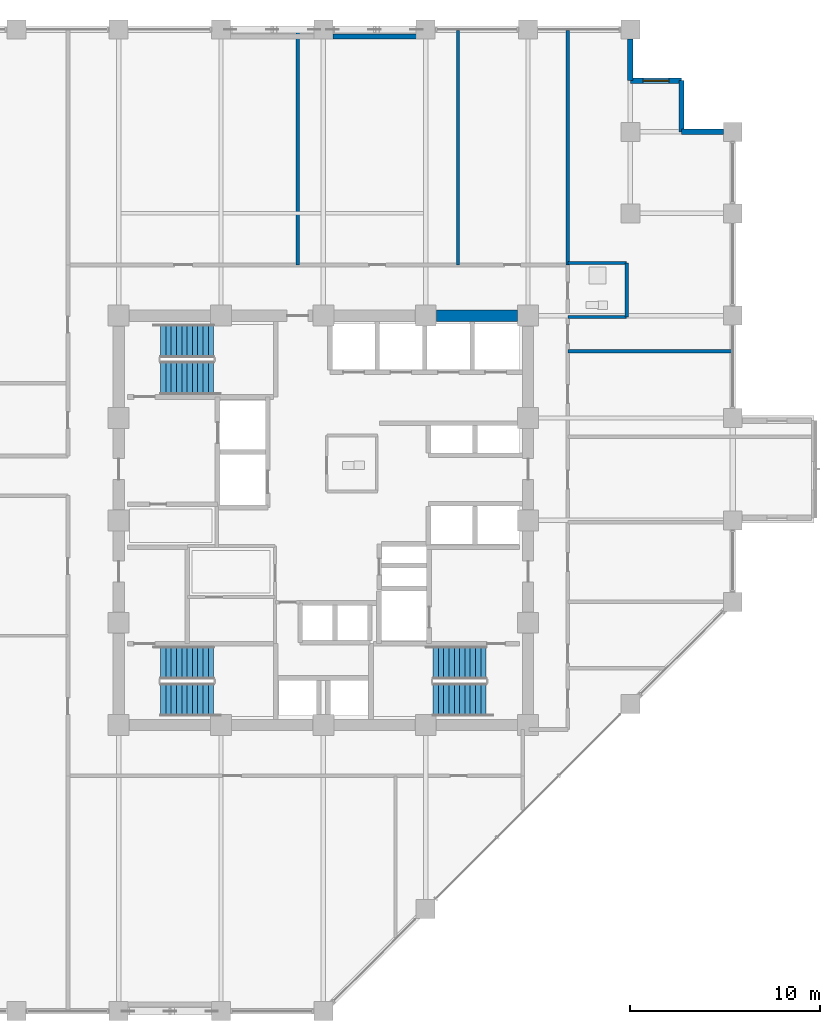
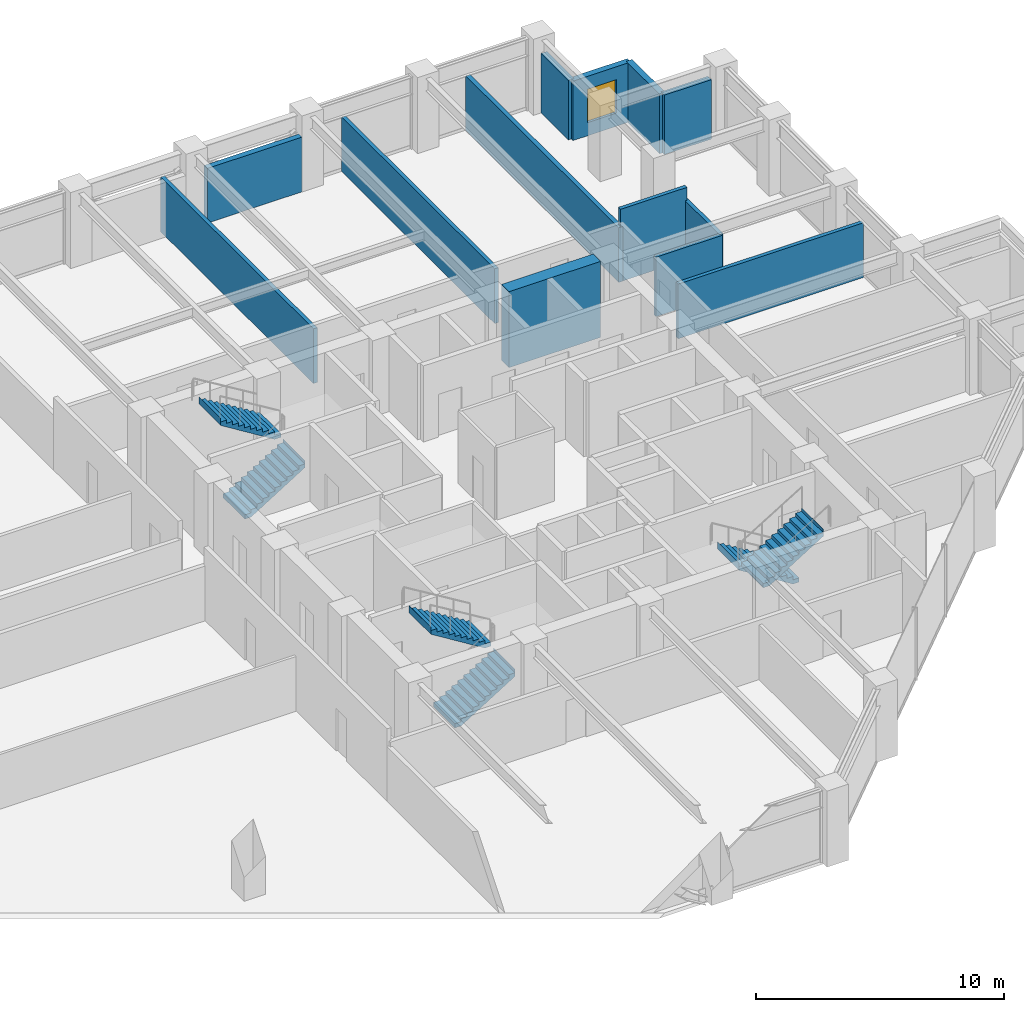
# One storey, part 21 of 25: 13 walls, 6 stair flights, 1 window, 1 opening, 3 elements without a shape of their own.
"""IFC4 building model written with IfcOpenShell, lengths in metres."""

from ifc_helpers import new_model, si_unit, direction, frame, frame_2d, origin, place, context, subcontext, project, spatial, polyline, rectangle, outline, extrude, material, layer, layer_set, type_object, element, fill, aggregate, save


model = new_model("IFC4")

# Units and contexts
model_context = context("Model", 3, precision=1e-05, world=origin(), true_north=direction((0.0, 1.0)))
body_context = subcontext(model_context, "Body", "Model", "MODEL_VIEW")
ifc_project = project(units=[si_unit("LENGTHUNIT", "METRE"), si_unit("AREAUNIT", "SQUARE_METRE"), si_unit("VOLUMEUNIT", "CUBIC_METRE"), si_unit("PLANEANGLEUNIT", "RADIAN"), si_unit("MASSUNIT", "GRAM", prefix="KILO")], contexts=[model_context])

# Site, building, storey
site_placement = place(None, origin())
site = spatial("IfcSite", under=ifc_project, at=site_placement, CompositionType="ELEMENT")
building_placement = place(site_placement, origin())
building = spatial("IfcBuilding", under=site, at=building_placement, Name="Surkhivell Harbour Commons", CompositionType="ELEMENT")
storey_placement = place(building_placement, frame((0.0, 0.0, 139.5)))
storey = spatial("IfcBuildingStorey", under=building, at=storey_placement, Name="L36", CompositionType="ELEMENT", Elevation=139.5)

# Walls
ifc_material_1 = material(Name="Concrete C60/75", Category="concrete")
ifc_layer_1 = layer(ifc_material_1, 0.60009765625)
ifc_layer_set_1 = layer_set([ifc_layer_1], Name="Concrete C60/75")
wall_type_1 = type_object("IfcWallType", Name="WAL-CORE-600", PredefinedType="SHEAR", material=ifc_layer_set_1)
wall_1_placement = place(storey_placement, frame((5.9599609375, 10.800048828125, 0.0), z_axis=(0.0, 0.0, 1.0), x_axis=(1.0, 0.0, 0.0)))
element("IfcWall", 1, at=wall_1_placement, inside=storey, type_object=wall_type_1, Name="L36 Core Shear Wall North 4", PredefinedType="SHEAR", context=body_context, shape_type="SweptSolid", body=[
    extrude(rectangle(XDim=4.280029296875, YDim=0.60009765625, at=frame_2d((2.14013671875, 0.0))), origin(), (0.0, 0.0, 1.0), 3.75),
])
ifc_material_2 = material(Name="Pale-metal insulated precast concrete C45/55", Category="concrete")
ifc_layer_2 = layer(ifc_material_2, 0.260009765625)
ifc_layer_set_2 = layer_set([ifc_layer_2], Name="Pale-metal insulated precast concrete C45/55")
wall_type_2 = type_object("IfcWallType", Name="WAL-EXT-MTL260", PredefinedType="STANDARD", material=ifc_layer_set_2)
wall_2_placement = place(storey_placement, frame((4.902099609375, 25.5400390625, 0.0), z_axis=(0.0, 0.0, 1.0), x_axis=(-1.0, 0.0, 0.0)))
element("IfcWall", 2, at=wall_2_placement, inside=storey, type_object=wall_type_2, Name="L36 Braced-Bay Insulated Spandrel Backing N2", PredefinedType="STANDARD", context=body_context, shape_type="SweptSolid", body=[
    extrude(rectangle(XDim=4.404052734375, YDim=0.260009765625, at=frame_2d((2.2021484375, 0.0))), origin(), (0.0, 0.0, 1.0), 2.698974609375),
])
ifc_material_3 = material(Name="Terracotta-clad reinforced concrete C45/55", Category="masonry")
ifc_layer_3 = layer(ifc_material_3, 0.280029296875)
ifc_layer_set_3 = layer_set([ifc_layer_3], Name="Terracotta-clad reinforced concrete C45/55")
wall_type_3 = type_object("IfcWallType", Name="WAL-EXT-TER280", PredefinedType="STANDARD", material=ifc_layer_set_3)
wall_3_placement = place(storey_placement, frame((21.10205078125, 20.5, 0.0), z_axis=(0.0, 0.0, 1.0), x_axis=(-1.0, 0.0, 0.0)))
element("IfcWall", 3, at=wall_3_placement, inside=storey, type_object=wall_type_3, Name="L36 Serrated Corner Facade Wall 03", PredefinedType="STANDARD", context=body_context, shape_type="SweptSolid", body=[
    extrude(rectangle(XDim=2.2021484375, YDim=0.280029296875, at=frame_2d((1.10107421875, 0.0))), origin(), (0.0, 0.0, 1.0), 2.93310546875),
])
wall_4_placement = place(storey_placement, frame((18.89990234375, 20.5, 0.0), z_axis=(0.0, 0.0, 1.0), x_axis=(0.0, 1.0, 0.0)))
element("IfcWall", 4, at=wall_4_placement, inside=storey, type_object=wall_type_3, Name="L36 Serrated Corner Facade Wall 04", PredefinedType="STANDARD", context=body_context, shape_type="SweptSolid", body=[
    extrude(rectangle(XDim=2.699951171875, YDim=0.280029296875, at=frame_2d((1.35009765625, 0.0))), origin(), (0.0, 0.0, 1.0), 2.93310546875),
])

# Wall, opening, window
wall_5_placement = place(storey_placement, frame((18.89990234375, 23.199951171875, 0.0), z_axis=(0.0, 0.0, 1.0), x_axis=(-1.0, 0.0, 0.0)))
wall_5 = element("IfcWall", 5, at=wall_5_placement, inside=storey, type_object=wall_type_3, Name="L36 Serrated Corner Facade Wall 05", PredefinedType="STANDARD", context=body_context, shape_type="SweptSolid", body=[
    extrude(rectangle(XDim=2.699951171875, YDim=0.280029296875, at=frame_2d((1.35009765625, 0.0))), origin(), (0.0, 0.0, 1.0), 2.93310546875),
])
opening_placement = place(wall_5_placement, frame((0.675048828125, 0.0, 0.64990234375)))
opening = element("IfcOpeningElement", 6, at=opening_placement, cuts=wall_5, Name="Opening WN-08", PredefinedType="OPENING", context=body_context, shape_type="SweptSolid", body=[
    extrude(rectangle(XDim=1.35009765625, YDim=1.64990234375, at=frame_2d((0.675048828125, 0.824951171875))), frame((0.0, 0.14990234375, 0.0), z_axis=(0.0, -1.0, 0.0), x_axis=(1.0, 0.0, 0.0)), (0.0, 0.0, 1.0), 0.300048828125),
])
ifc_material_4 = material(Name="Thermal-break aluminium frame and double low-E glazing", Category="aluminium")
window_type = type_object("IfcWindowType", Name="WIN-SER-1350x1650", PartitioningType="SINGLE_PANEL", PredefinedType="WINDOW", material=ifc_material_4)
window_placement = place(opening_placement, origin())
window = element("IfcWindow", 7, at=window_placement, inside=storey, type_object=window_type, Name="L36 Serrated Alcove Window 05", OverallHeight=1.64990234375, OverallWidth=1.35009765625, PartitioningType="SINGLE_PANEL", PredefinedType="WINDOW", context=body_context, shape_type="SweptSolid", body=[
    extrude(rectangle(XDim=1.35009765625, YDim=1.64990234375, at=frame_2d((0.675048828125, 0.824951171875))), frame((0.0, 0.030029296875, 0.0), z_axis=(0.0, -1.0, 0.0), x_axis=(1.0, 0.0, 0.0)), (0.0, 0.0, 1.0), 0.06005859375),
])
fill(opening, window)

# Walls
wall_6_placement = place(storey_placement, frame((16.199951171875, 23.199951171875, 0.0), z_axis=(0.0, 0.0, 1.0), x_axis=(0.0, 1.0, 0.0)))
element("IfcWall", 8, at=wall_6_placement, inside=storey, type_object=wall_type_3, Name="L36 Serrated Corner Facade Wall 06", PredefinedType="STANDARD", context=body_context, shape_type="SweptSolid", body=[
    extrude(rectangle(XDim=2.2021484375, YDim=0.280029296875, at=frame_2d((1.10107421875, 0.0))), origin(), (0.0, 0.0, 1.0), 2.93310546875),
])
ifc_material_5 = material(Name="High-density acoustic blockwork fire partition", Category="masonry")
ifc_layer_4 = layer(ifc_material_5, 0.175048828125)
ifc_layer_set_4 = layer_set([ifc_layer_4], Name="High-density acoustic blockwork fire partition")
wall_type_4 = type_object("IfcWallType", Name="WAL-INT-175", PredefinedType="PARTITIONING", material=ifc_layer_set_4)
wall_7_placement = place(storey_placement, frame((16.0, 10.72998046875, 0.0), z_axis=(0.0, 0.0, 1.0), x_axis=(0.0, 1.0, 0.0)))
element("IfcWall", 9, at=wall_7_placement, inside=storey, type_object=wall_type_4, Name="L36 East Partition BTHB", PredefinedType="PARTITIONING", context=body_context, shape_type="SweptSolid", body=[
    extrude(rectangle(XDim=2.85009765625, YDim=0.175048828125, at=frame_2d((1.425048828125, 0.0))), origin(), (0.0, 0.0, 1.0), 2.93310546875),
])
wall_8_placement = place(storey_placement, frame((12.89990234375, 13.580078125, 0.0), z_axis=(0.0, 0.0, 1.0), x_axis=(1.0, 0.0, 0.0)))
element("IfcWall", 10, at=wall_8_placement, inside=storey, type_object=wall_type_4, Name="L36 East Partition BTHN", PredefinedType="PARTITIONING", context=body_context, shape_type="SweptSolid", body=[
    extrude(rectangle(XDim=3.10009765625, YDim=0.175048828125, at=frame_2d((1.550048828125, 0.0))), origin(), (0.0, 0.0, 1.0), 3.570068359375),
])
wall_9_placement = place(storey_placement, frame((12.89990234375, 10.72998046875, 0.0), z_axis=(0.0, 0.0, 1.0), x_axis=(1.0, 0.0, 0.0)))
element("IfcWall", 11, at=wall_9_placement, inside=storey, type_object=wall_type_4, Name="L36 East Partition BTHS", PredefinedType="PARTITIONING", context=body_context, shape_type="SweptSolid", body=[
    extrude(rectangle(XDim=3.10009765625, YDim=0.175048828125, at=frame_2d((1.550048828125, 0.0))), origin(), (0.0, 0.0, 1.0), 2.93310546875),
])
wall_10_placement = place(storey_placement, frame((12.89990234375, 8.929931640625, 0.0), z_axis=(0.0, 0.0, 1.0), x_axis=(1.0, 0.0, 0.0)))
element("IfcWall", 12, at=wall_10_placement, inside=storey, type_object=wall_type_4, Name="L36 East Partition PTOP", PredefinedType="PARTITIONING", context=body_context, shape_type="SweptSolid", body=[
    extrude(rectangle(XDim=8.64013671875, YDim=0.175048828125, at=frame_2d((4.320068359375, 0.0))), origin(), (0.0, 0.0, 1.0), 2.698974609375),
])
for number, where, z_axis, x_axis, name in (
    (13, (-1.35009765625, 13.47998046875, 0.0), (0.0, 0.0, 1.0), (0.0, 1.0, 0.0), "L36 North Partition P1"),
    (14, (7.10009765625, 13.47998046875, 0.0), (0.0, 0.0, 1.0), (0.0, 1.0, 0.0), "L36 North Partition P2"),
):
    element("IfcWall", number, at=place(storey_placement, frame(where, z_axis=z_axis, x_axis=x_axis)), inside=storey, type_object=wall_type_4, Name=name, PredefinedType="PARTITIONING", context=body_context, shape_type="SweptSolid", body=[
        extrude(rectangle(XDim=12.360107421875, YDim=0.175048828125, at=frame_2d((6.18017578125, 0.0))), origin(), (0.0, 0.0, 1.0), 2.698974609375),
    ])
ifc_material_6 = material(Name="Autoclaved aerated concrete blockwork and fire plaster", Category="masonry")
ifc_layer_5 = layer(ifc_material_6, 0.199951171875)
ifc_layer_set_5 = layer_set([ifc_layer_5], Name="Autoclaved aerated concrete blockwork and fire plaster")
wall_type_5 = type_object("IfcWallType", Name="WAL-INT-200", PredefinedType="PARTITIONING", material=ifc_layer_set_5)
wall_11_placement = place(storey_placement, frame((12.89990234375, 13.47998046875, 0.0), z_axis=(0.0, 0.0, 1.0), x_axis=(0.0, 1.0, 0.0)))
element("IfcWall", 15, at=wall_11_placement, inside=storey, type_object=wall_type_5, Name="L36 North-East Wing Corner Divider", PredefinedType="PARTITIONING", context=body_context, shape_type="SweptSolid", body=[
    extrude(rectangle(XDim=12.360107421875, YDim=0.199951171875, at=frame_2d((6.18017578125, 0.0))), origin(), (0.0, 0.0, 1.0), 2.698974609375),
])

# Stair, stair flights
ifc_material_7 = material(Name="Precast concrete C45/55", Category="concrete")
stair_type = type_object("IfcStairType", Name="STR-DL-375", PredefinedType="HALF_TURN_STAIR", material=ifc_material_7)
stair_1_placement = place(storey_placement, origin())
stair_1 = element("IfcStair", 16, at=stair_1_placement, inside=storey, type_object=stair_type, Name="L36 Core Exit Stair ST1", PredefinedType="HALF_TURN_STAIR")
stair_flight_type = type_object("IfcStairFlightType", Name="STF-DL-375", PredefinedType="STRAIGHT", material=ifc_material_7)
stair_flight_1_placement = place(storey_placement, frame((-8.590087890625, 7.514892578125, 0.0), z_axis=(0.0, 0.0, 1.0), x_axis=(1.0, 0.0, 0.0)))
stair_flight_1 = element("IfcStairFlight", 17, at=stair_flight_1_placement, type_object=stair_flight_type, Name="ST1 flight 1", NumberOfRisers=11, NumberOfTreads=10, PredefinedType="STRAIGHT", RiserHeight=0.170454545, TreadLength=0.28, context=body_context, shape_type="SweptSolid", body=[
    extrude(outline(polyline([(-0.0029296875, -0.034912109375), (-0.0029296875, 0.0), (0.0, 0.0), (0.0, 0.17041015625), (0.280029296875, 0.17041015625), (0.280029296875, 0.3408203125), (0.56005859375, 0.3408203125), (0.56005859375, 0.511474609375), (0.840087890625, 0.511474609375), (0.840087890625, 0.681884765625), (1.1201171875, 0.681884765625), (1.1201171875, 0.852294921875), (1.39990234375, 0.852294921875), (1.39990234375, 1.022705078125), (1.679931640625, 1.022705078125), (1.679931640625, 1.193115234375), (1.9599609375, 1.193115234375), (1.9599609375, 1.363525390625), (2.239990234375, 1.363525390625), (2.239990234375, 1.5341796875), (2.52001953125, 1.5341796875), (2.52001953125, 1.70458984375), (2.800048828125, 1.70458984375), (2.800048828125, 1.875), (2.802978515625, 1.875), (2.802978515625, 1.529052734375), (0.288330078125, -0.034912109375), (-0.0029296875, -0.034912109375)])), frame((0.0, 0.875, 0.0), z_axis=(0.0, -1.0, 0.0), x_axis=(1.0, 0.0, 0.0)), (0.0, 0.0, 1.0), 1.75),
])
stair_flight_2_placement = place(storey_placement, frame((-5.7900390625, 9.465087890625, 1.875), z_axis=(0.0, 0.0, 1.0), x_axis=(-1.0, 0.0, 0.0)))
stair_flight_2 = element("IfcStairFlight", 18, at=stair_flight_2_placement, type_object=stair_flight_type, Name="ST1 flight 2", NumberOfRisers=11, NumberOfTreads=10, PredefinedType="STRAIGHT", RiserHeight=0.170454545, TreadLength=0.28, context=body_context, shape_type="SweptSolid", body=[
    extrude(outline(polyline([(-0.0029296875, -0.034912109375), (-0.0029296875, 0.0), (0.0, 0.0), (0.0, 0.17041015625), (0.280029296875, 0.17041015625), (0.280029296875, 0.3408203125), (0.56005859375, 0.3408203125), (0.56005859375, 0.511474609375), (0.840087890625, 0.511474609375), (0.840087890625, 0.681884765625), (1.1201171875, 0.681884765625), (1.1201171875, 0.852294921875), (1.39990234375, 0.852294921875), (1.39990234375, 1.022705078125), (1.679931640625, 1.022705078125), (1.679931640625, 1.193115234375), (1.9599609375, 1.193115234375), (1.9599609375, 1.363525390625), (2.239990234375, 1.363525390625), (2.239990234375, 1.5341796875), (2.52001953125, 1.5341796875), (2.52001953125, 1.70458984375), (2.800048828125, 1.70458984375), (2.800048828125, 1.875), (2.802978515625, 1.875), (2.802978515625, 1.529052734375), (0.288330078125, -0.034912109375), (-0.0029296875, -0.034912109375)])), frame((0.0, 0.875, 0.0), z_axis=(0.0, -1.0, 0.0), x_axis=(1.0, 0.0, 0.0)), (0.0, 0.0, 1.0), 1.75),
])
aggregate(stair_1, [stair_flight_1, stair_flight_2])

stair_2_placement = place(storey_placement, origin())
stair_2 = element("IfcStair", 19, at=stair_2_placement, inside=storey, type_object=stair_type, Name="L36 Core Exit Stair ST2", PredefinedType="HALF_TURN_STAIR")
stair_flight_3_placement = place(storey_placement, frame((8.590087890625, -7.514892578125, 0.0), z_axis=(0.0, 0.0, 1.0), x_axis=(-1.0, 0.0, 0.0)))
stair_flight_3 = element("IfcStairFlight", 20, at=stair_flight_3_placement, type_object=stair_flight_type, Name="ST2 flight 1", NumberOfRisers=11, NumberOfTreads=10, PredefinedType="STRAIGHT", RiserHeight=0.170454545, TreadLength=0.28, context=body_context, shape_type="SweptSolid", body=[
    extrude(outline(polyline([(-0.0029296875, -0.034912109375), (-0.0029296875, 0.0), (0.0, 0.0), (0.0, 0.17041015625), (0.280029296875, 0.17041015625), (0.280029296875, 0.3408203125), (0.56005859375, 0.3408203125), (0.56005859375, 0.511474609375), (0.840087890625, 0.511474609375), (0.840087890625, 0.681884765625), (1.1201171875, 0.681884765625), (1.1201171875, 0.852294921875), (1.39990234375, 0.852294921875), (1.39990234375, 1.022705078125), (1.679931640625, 1.022705078125), (1.679931640625, 1.193115234375), (1.9599609375, 1.193115234375), (1.9599609375, 1.363525390625), (2.239990234375, 1.363525390625), (2.239990234375, 1.5341796875), (2.52001953125, 1.5341796875), (2.52001953125, 1.70458984375), (2.800048828125, 1.70458984375), (2.800048828125, 1.875), (2.802978515625, 1.875), (2.802978515625, 1.529052734375), (0.288330078125, -0.034912109375), (-0.0029296875, -0.034912109375)])), frame((0.0, 0.875, 0.0), z_axis=(0.0, -1.0, 0.0), x_axis=(1.0, 0.0, 0.0)), (0.0, 0.0, 1.0), 1.75),
])
stair_flight_4_placement = place(storey_placement, frame((5.7900390625, -9.465087890625, 1.875), z_axis=(0.0, 0.0, 1.0), x_axis=(1.0, 0.0, 0.0)))
stair_flight_4 = element("IfcStairFlight", 21, at=stair_flight_4_placement, type_object=stair_flight_type, Name="ST2 flight 2", NumberOfRisers=11, NumberOfTreads=10, PredefinedType="STRAIGHT", RiserHeight=0.170454545, TreadLength=0.28, context=body_context, shape_type="SweptSolid", body=[
    extrude(outline(polyline([(-0.0029296875, -0.034912109375), (-0.0029296875, 0.0), (0.0, 0.0), (0.0, 0.17041015625), (0.280029296875, 0.17041015625), (0.280029296875, 0.3408203125), (0.56005859375, 0.3408203125), (0.56005859375, 0.511474609375), (0.840087890625, 0.511474609375), (0.840087890625, 0.681884765625), (1.1201171875, 0.681884765625), (1.1201171875, 0.852294921875), (1.39990234375, 0.852294921875), (1.39990234375, 1.022705078125), (1.679931640625, 1.022705078125), (1.679931640625, 1.193115234375), (1.9599609375, 1.193115234375), (1.9599609375, 1.363525390625), (2.239990234375, 1.363525390625), (2.239990234375, 1.5341796875), (2.52001953125, 1.5341796875), (2.52001953125, 1.70458984375), (2.800048828125, 1.70458984375), (2.800048828125, 1.875), (2.802978515625, 1.875), (2.802978515625, 1.529052734375), (0.288330078125, -0.034912109375), (-0.0029296875, -0.034912109375)])), frame((0.0, 0.875, 0.0), z_axis=(0.0, -1.0, 0.0), x_axis=(1.0, 0.0, 0.0)), (0.0, 0.0, 1.0), 1.75),
])
aggregate(stair_2, [stair_flight_3, stair_flight_4])

stair_3_placement = place(storey_placement, origin())
stair_3 = element("IfcStair", 22, at=stair_3_placement, inside=storey, type_object=stair_type, Name="L36 Core Exit Stair ST3", PredefinedType="HALF_TURN_STAIR")
stair_flight_5_placement = place(storey_placement, frame((-8.590087890625, -9.465087890625, 0.0), z_axis=(0.0, 0.0, 1.0), x_axis=(1.0, 0.0, 0.0)))
stair_flight_5 = element("IfcStairFlight", 23, at=stair_flight_5_placement, type_object=stair_flight_type, Name="ST3 flight 1", NumberOfRisers=11, NumberOfTreads=10, PredefinedType="STRAIGHT", RiserHeight=0.170454545, TreadLength=0.28, context=body_context, shape_type="SweptSolid", body=[
    extrude(outline(polyline([(-0.0029296875, -0.034912109375), (-0.0029296875, 0.0), (0.0, 0.0), (0.0, 0.17041015625), (0.280029296875, 0.17041015625), (0.280029296875, 0.3408203125), (0.56005859375, 0.3408203125), (0.56005859375, 0.511474609375), (0.840087890625, 0.511474609375), (0.840087890625, 0.681884765625), (1.1201171875, 0.681884765625), (1.1201171875, 0.852294921875), (1.39990234375, 0.852294921875), (1.39990234375, 1.022705078125), (1.679931640625, 1.022705078125), (1.679931640625, 1.193115234375), (1.9599609375, 1.193115234375), (1.9599609375, 1.363525390625), (2.239990234375, 1.363525390625), (2.239990234375, 1.5341796875), (2.52001953125, 1.5341796875), (2.52001953125, 1.70458984375), (2.800048828125, 1.70458984375), (2.800048828125, 1.875), (2.802978515625, 1.875), (2.802978515625, 1.529052734375), (0.288330078125, -0.034912109375), (-0.0029296875, -0.034912109375)])), frame((0.0, 0.875, 0.0), z_axis=(0.0, -1.0, 0.0), x_axis=(1.0, 0.0, 0.0)), (0.0, 0.0, 1.0), 1.75),
])
stair_flight_6_placement = place(storey_placement, frame((-5.7900390625, -7.514892578125, 1.875), z_axis=(0.0, 0.0, 1.0), x_axis=(-1.0, 0.0, 0.0)))
stair_flight_6 = element("IfcStairFlight", 24, at=stair_flight_6_placement, type_object=stair_flight_type, Name="ST3 flight 2", NumberOfRisers=11, NumberOfTreads=10, PredefinedType="STRAIGHT", RiserHeight=0.170454545, TreadLength=0.28, context=body_context, shape_type="SweptSolid", body=[
    extrude(outline(polyline([(-0.0029296875, -0.034912109375), (-0.0029296875, 0.0), (0.0, 0.0), (0.0, 0.17041015625), (0.280029296875, 0.17041015625), (0.280029296875, 0.3408203125), (0.56005859375, 0.3408203125), (0.56005859375, 0.511474609375), (0.840087890625, 0.511474609375), (0.840087890625, 0.681884765625), (1.1201171875, 0.681884765625), (1.1201171875, 0.852294921875), (1.39990234375, 0.852294921875), (1.39990234375, 1.022705078125), (1.679931640625, 1.022705078125), (1.679931640625, 1.193115234375), (1.9599609375, 1.193115234375), (1.9599609375, 1.363525390625), (2.239990234375, 1.363525390625), (2.239990234375, 1.5341796875), (2.52001953125, 1.5341796875), (2.52001953125, 1.70458984375), (2.800048828125, 1.70458984375), (2.800048828125, 1.875), (2.802978515625, 1.875), (2.802978515625, 1.529052734375), (0.288330078125, -0.034912109375), (-0.0029296875, -0.034912109375)])), frame((0.0, 0.875, 0.0), z_axis=(0.0, -1.0, 0.0), x_axis=(1.0, 0.0, 0.0)), (0.0, 0.0, 1.0), 1.75),
])
aggregate(stair_3, [stair_flight_5, stair_flight_6])

save(model, "model.ifc")
